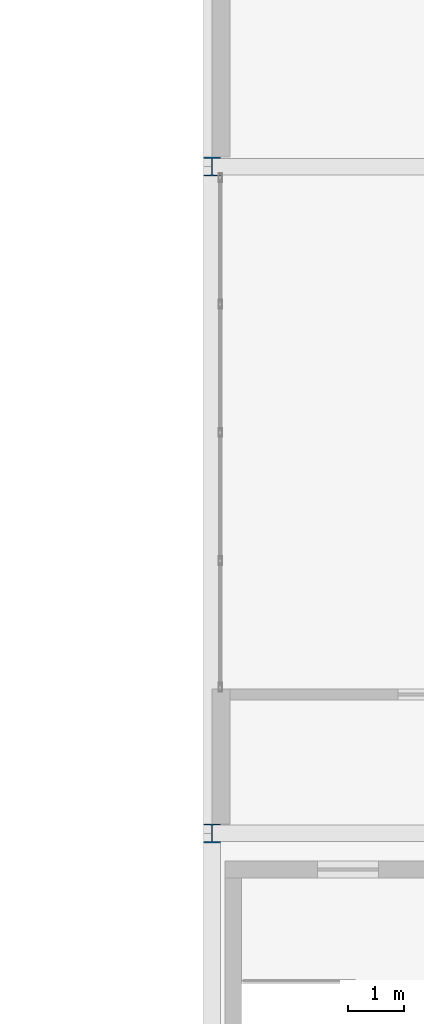
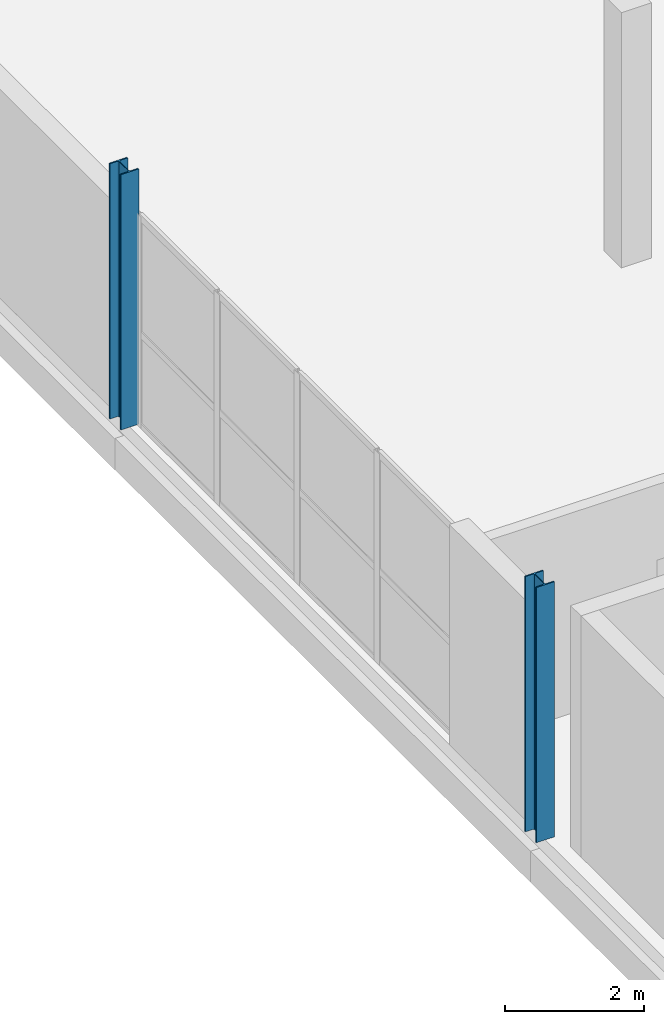
# One storey, part 6 of 103: 2 columns.
"""IFC4 building model written with IfcOpenShell, lengths in metres."""

from ifc_helpers import new_model, si_unit, direction, frame, origin, origin_2d, place, context, subcontext, project, spatial, i_section, extrude, material, material_profile, profile_set, type_object, element, save


model = new_model("IFC4")

# Units and contexts
model_context = context("Model", 3, precision=1e-05, world=origin(), true_north=direction((0.0, 1.0)))
body_context = subcontext(model_context, "Body", "Model", "MODEL_VIEW")
ifc_project = project(units=[si_unit("LENGTHUNIT", "METRE"), si_unit("AREAUNIT", "SQUARE_METRE"), si_unit("VOLUMEUNIT", "CUBIC_METRE"), si_unit("PLANEANGLEUNIT", "RADIAN"), si_unit("MASSUNIT", "GRAM", prefix="KILO")], contexts=[model_context])

# Site, building, storey
site_placement = place(None, origin())
site = spatial("IfcSite", under=ifc_project, at=site_placement, CompositionType="ELEMENT")
building_placement = place(site_placement, origin())
building = spatial("IfcBuilding", under=site, at=building_placement, Name="Veltarok Museum of Natural Sciences", CompositionType="ELEMENT")
storey_placement = place(building_placement, frame((0.0, 0.0, 21.89990234375)))
storey = spatial("IfcBuildingStorey", under=building, at=storey_placement, Name="L04", CompositionType="ELEMENT", Elevation=21.89990234375)

# Columns
ifc_material = material(Name="Steel S355J2", Category="steel")
ifc_material_profile = material_profile(ifc_material, i_section(OverallWidth=0.300048828125, OverallDepth=0.340087890625, WebThickness=0.011962890625, FlangeThickness=0.021484375, FilletRadius=0.027099609375, at=origin_2d()), Name="HEB 340")
ifc_profile_set = profile_set([ifc_material_profile], Name="Steel S355J2")
column_type = type_object("IfcColumnType", Name="Perimeter Spine Column HEB 340", PredefinedType="COLUMN", material=ifc_profile_set)
for number, where, z_axis, x_axis, name in (
    (1, (132.39990234375, 36.0, 0.0), (0.0, 0.0, 1.0), (1.0, 0.0, 0.0), "Column COL-EXT05 L04 16/E"),
    (2, (132.39990234375, 48.0, 0.0), (0.0, 0.0, 1.0), (1.0, 0.0, 0.0), "Column COL-EXT05 L04 16/F"),
):
    element("IfcColumn", number, at=place(storey_placement, frame(where, z_axis=z_axis, x_axis=x_axis)), inside=storey, type_object=column_type, Name=name, PredefinedType="COLUMN", context=body_context, shape_type="SweptSolid", body=[
        extrude(i_section(OverallWidth=0.300048828125, OverallDepth=0.340087890625, WebThickness=0.011962890625, FlangeThickness=0.021484375, FilletRadius=0.027099609375, at=origin_2d()), origin(), (0.0, 0.0, 1.0), 4.5),
    ])

save(model, "model.ifc")
